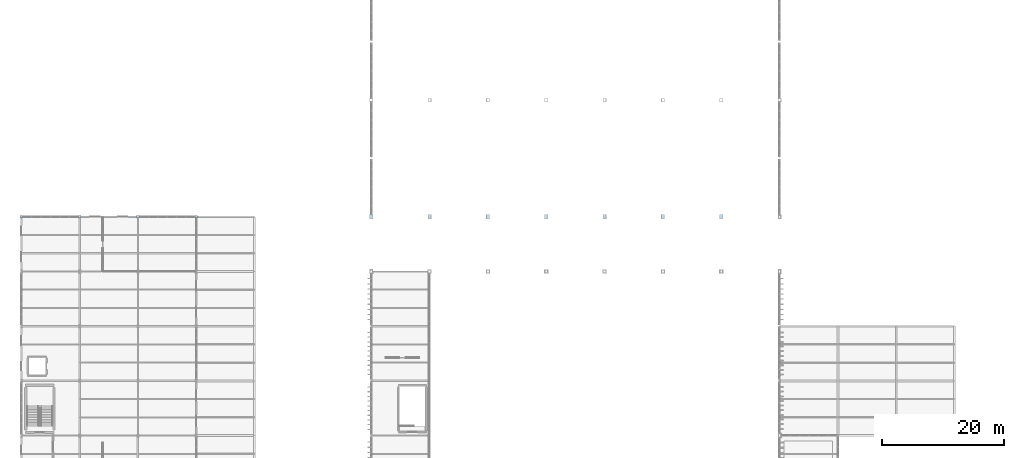
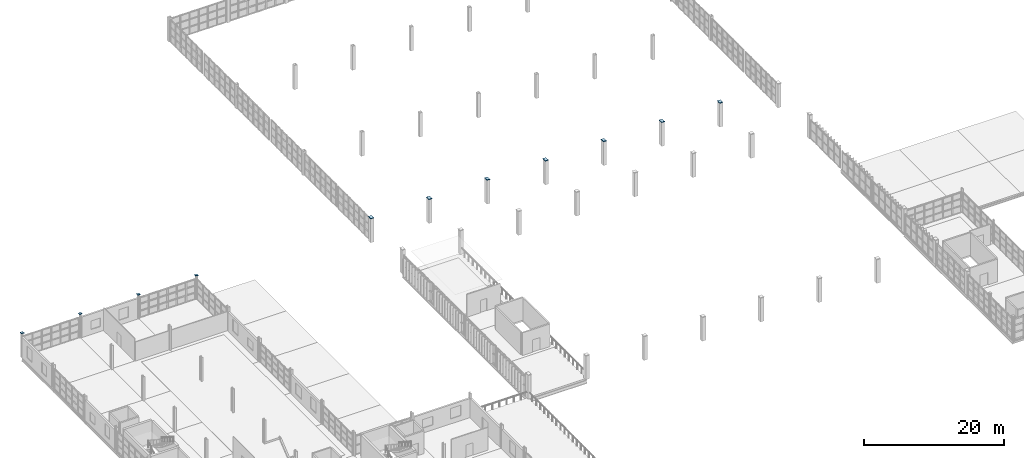
# One storey, part 65 of 82: 11 plates.
"""IFC4 building model written with IfcOpenShell, lengths in metres."""

from ifc_helpers import new_model, si_unit, direction, frame, origin, origin_2d, place, context, subcontext, project, spatial, rectangle, extrude, material, layer, layer_set, type_object, element, save


model = new_model("IFC4")

# Units and contexts
model_context = context("Model", 3, precision=1e-05, world=origin(), true_north=direction((0.0, 1.0)))
body_context = subcontext(model_context, "Body", "Model", "MODEL_VIEW")
ifc_project = project(units=[si_unit("LENGTHUNIT", "METRE"), si_unit("AREAUNIT", "SQUARE_METRE"), si_unit("VOLUMEUNIT", "CUBIC_METRE"), si_unit("PLANEANGLEUNIT", "RADIAN"), si_unit("MASSUNIT", "GRAM", prefix="KILO")], contexts=[model_context])

# Site, building, storey
site_placement = place(None, origin())
site = spatial("IfcSite", under=ifc_project, at=site_placement, CompositionType="ELEMENT")
building_placement = place(site_placement, origin())
building = spatial("IfcBuilding", under=site, at=building_placement, Name="Zarnetskaya Central Station", CompositionType="ELEMENT")
storey_placement = place(building_placement, frame((0.0, 0.0, 10.199951171875)))
storey = spatial("IfcBuildingStorey", under=building, at=storey_placement, Name="L02", CompositionType="ELEMENT", Elevation=10.199951171875)

# Plates
ifc_material = material(Name="Steel S355", Category="steel")
ifc_layer = layer(ifc_material, 0.02392578125, Name="Steel S355", Category="steel")
ifc_layer_set = layer_set([ifc_layer], Name="Steel S355")
plate_type = type_object("IfcPlateType", Name="PL-COL-CAP-EXT", PredefinedType="USERDEFINED", material=ifc_layer_set)
for number, where, z_axis, x_axis, name in (
    (1, (0.0, 67.199951171875, 4.176025390625), (0.0, 0.0, 1.0), (1.0, 0.0, 0.0), "Hollow column sealed end-cap plate 01"),
    (2, (9.60009765625, 67.199951171875, 4.176025390625), (0.0, 0.0, 1.0), (1.0, 0.0, 0.0), "Hollow column sealed end-cap plate 02"),
    (3, (19.199951171875, 67.199951171875, 4.176025390625), (0.0, 0.0, 1.0), (1.0, 0.0, 0.0), "Hollow column sealed end-cap plate 09"),
    (4, (28.800048828125, 67.199951171875, 4.176025390625), (0.0, 0.0, 1.0), (1.0, 0.0, 0.0), "Hollow column sealed end-cap plate 16"),
):
    element("IfcPlate", number, at=place(storey_placement, frame(where, z_axis=z_axis, x_axis=x_axis)), inside=storey, type_object=plate_type, Name=name, ObjectType="END CAP PLATE", PredefinedType="USERDEFINED", context=body_context, shape_type="SweptSolid", body=[
        extrude(rectangle(XDim=0.426513671875, YDim=0.426513671875, at=origin_2d()), origin(), (0.0, 0.0, 1.0), 0.02392578125),
    ])
for number, where, z_axis, x_axis, name in (
    (5, (57.60009765625, 67.199951171875, 4.176025390625), (0.0, 0.0, 1.0), (1.0, 0.0, 0.0), "Hollow column sealed end-cap plate 45"),
    (6, (67.199951171875, 67.199951171875, 4.176025390625), (0.0, 0.0, 1.0), (1.0, 0.0, 0.0), "Hollow column sealed end-cap plate 54"),
    (7, (76.800048828125, 67.199951171875, 4.176025390625), (0.0, 0.0, 1.0), (1.0, 0.0, 0.0), "Hollow column sealed end-cap plate 63"),
    (8, (86.39990234375, 67.199951171875, 4.176025390625), (0.0, 0.0, 1.0), (1.0, 0.0, 0.0), "Hollow column sealed end-cap plate 72"),
    (9, (96.0, 67.199951171875, 4.176025390625), (0.0, 0.0, 1.0), (1.0, 0.0, 0.0), "Hollow column sealed end-cap plate 81"),
    (10, (105.60009765625, 67.199951171875, 4.176025390625), (0.0, 0.0, 1.0), (1.0, 0.0, 0.0), "Hollow column sealed end-cap plate 90"),
    (11, (115.199951171875, 67.199951171875, 4.176025390625), (0.0, 0.0, 1.0), (1.0, 0.0, 0.0), "Hollow column sealed end-cap plate 102"),
):
    element("IfcPlate", number, at=place(storey_placement, frame(where, z_axis=z_axis, x_axis=x_axis)), inside=storey, type_object=plate_type, Name=name, ObjectType="END CAP PLATE", PredefinedType="USERDEFINED", context=body_context, shape_type="SweptSolid", body=[
        extrude(rectangle(XDim=0.52001953125, YDim=0.719970703125, at=origin_2d()), origin(), (0.0, 0.0, 1.0), 0.02392578125),
    ])

save(model, "model.ifc")
